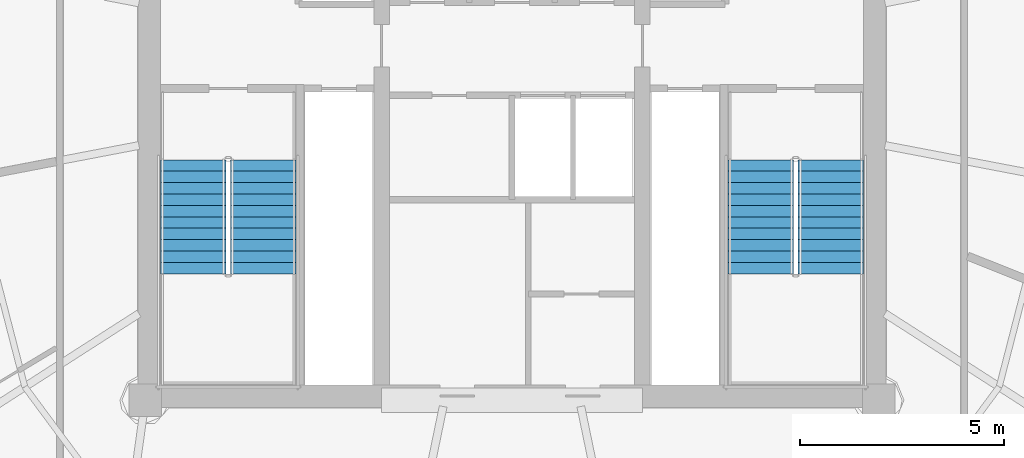
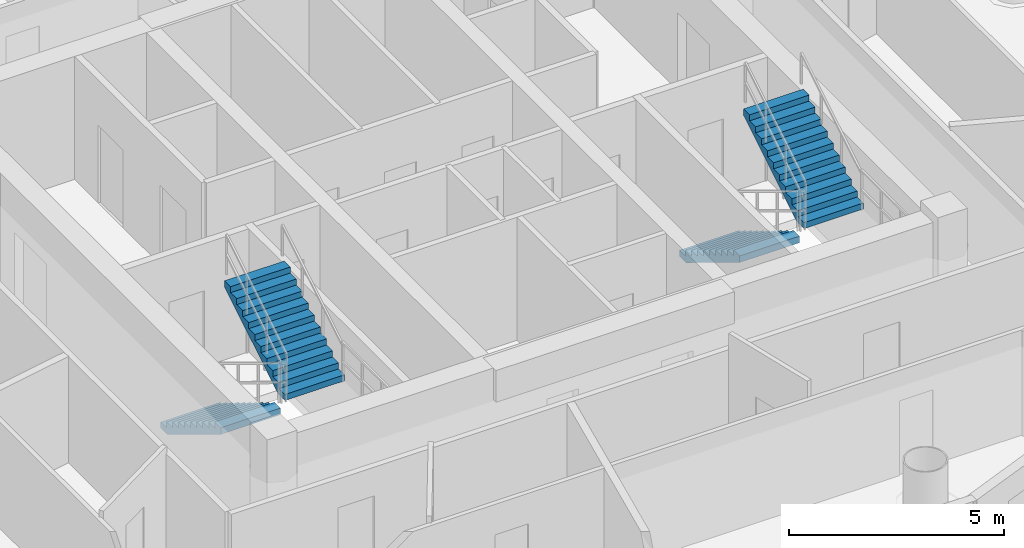
# One storey, part 20 of 23: 4 stair flights, 2 elements without a shape of their own.
"""IFC4 building model written with IfcOpenShell, lengths in metres."""

from ifc_helpers import new_model, si_unit, direction, frame, origin, place, context, subcontext, project, spatial, polyline, outline, extrude, material, type_object, element, aggregate, save


model = new_model("IFC4")

# Units and contexts
model_context = context("Model", 3, precision=1e-05, world=origin(), true_north=direction((-0.2419218956, 0.970295726276)))
body_context = subcontext(model_context, "Body", "Model", "MODEL_VIEW")
ifc_project = project(units=[si_unit("LENGTHUNIT", "METRE"), si_unit("AREAUNIT", "SQUARE_METRE"), si_unit("VOLUMEUNIT", "CUBIC_METRE"), si_unit("PLANEANGLEUNIT", "RADIAN"), si_unit("MASSUNIT", "GRAM", prefix="KILO")], contexts=[model_context])

# Site, building, storey
site_placement = place(None, origin())
site = spatial("IfcSite", under=ifc_project, at=site_placement, CompositionType="ELEMENT")
building_placement = place(site_placement, origin())
building = spatial("IfcBuilding", under=site, at=building_placement, Name="Cobrevalo Terracotta Tower", CompositionType="ELEMENT")
storey_placement = place(building_placement, frame((0.0, 0.0, 255.699951171875)))
storey = spatial("IfcBuildingStorey", under=building, at=storey_placement, Name="L67", CompositionType="ELEMENT", Elevation=255.699951171875)

# Stair, stair flights
ifc_material = material(Name="Concrete C50", Category="concrete")
stair_type = type_object("IfcStairType", Name="Core protected escape dogleg stair 1600", PredefinedType="HALF_TURN_STAIR", material=ifc_material)
stair_1_placement = place(storey_placement, origin())
stair_1 = element("IfcStair", 1, at=stair_1_placement, inside=storey, type_object=stair_type, Name="L67 Protected exit stair ST-1", PredefinedType="HALF_TURN_STAIR")
stair_flight_type = type_object("IfcStairFlightType", Name="Core protected escape dogleg stair 1600 flight", PredefinedType="STRAIGHT", material=ifc_material)
stair_flight_1_placement = place(storey_placement, frame((30.175048828125, 24.699951171875, 0.0), z_axis=(0.0, 0.0, 1.0), x_axis=(0.0, -1.0, 0.0)))
stair_flight_1 = element("IfcStairFlight", 2, at=stair_flight_1_placement, type_object=stair_flight_type, Name="ST-1 flight 1", NumberOfRisers=11, NumberOfTreads=10, PredefinedType="STRAIGHT", RiserHeight=0.170454545, TreadLength=0.28, context=body_context, shape_type="SweptSolid", body=[
    extrude(outline(polyline([(0.0, 0.0), (0.0, 0.17041015625), (0.280029296875, 0.17041015625), (0.280029296875, 0.3408203125), (0.56005859375, 0.3408203125), (0.56005859375, 0.511474609375), (0.840087890625, 0.511474609375), (0.840087890625, 0.681884765625), (1.1201171875, 0.681884765625), (1.1201171875, 0.852294921875), (1.39990234375, 0.852294921875), (1.39990234375, 1.022705078125), (1.679931640625, 1.022705078125), (1.679931640625, 1.193115234375), (1.9599609375, 1.193115234375), (1.9599609375, 1.363525390625), (2.239990234375, 1.363525390625), (2.239990234375, 1.5341796875), (2.52001953125, 1.5341796875), (2.52001953125, 1.70458984375), (2.800048828125, 1.70458984375), (2.800048828125, 1.875), (2.800048828125, 1.517333984375), (0.3076171875, 0.0), (0.0, 0.0)])), frame((0.0, 0.800048828125, 0.0), z_axis=(0.0, -1.0, 0.0), x_axis=(1.0, 0.0, 0.0)), (0.0, 0.0, 1.0), 1.60009765625),
])
stair_flight_2_placement = place(storey_placement, frame((31.89501953125, 21.89990234375, 1.875), z_axis=(0.0, 0.0, 1.0), x_axis=(0.0, 1.0, 0.0)))
stair_flight_2 = element("IfcStairFlight", 3, at=stair_flight_2_placement, type_object=stair_flight_type, Name="ST-1 flight 2", NumberOfRisers=11, NumberOfTreads=10, PredefinedType="STRAIGHT", RiserHeight=0.170454545, TreadLength=0.28, context=body_context, shape_type="SweptSolid", body=[
    extrude(outline(polyline([(0.0, 0.0), (0.0, 0.17041015625), (0.280029296875, 0.17041015625), (0.280029296875, 0.3408203125), (0.56005859375, 0.3408203125), (0.56005859375, 0.511474609375), (0.840087890625, 0.511474609375), (0.840087890625, 0.681884765625), (1.1201171875, 0.681884765625), (1.1201171875, 0.852294921875), (1.39990234375, 0.852294921875), (1.39990234375, 1.022705078125), (1.679931640625, 1.022705078125), (1.679931640625, 1.193115234375), (1.9599609375, 1.193115234375), (1.9599609375, 1.363525390625), (2.239990234375, 1.363525390625), (2.239990234375, 1.5341796875), (2.52001953125, 1.5341796875), (2.52001953125, 1.70458984375), (2.800048828125, 1.70458984375), (2.800048828125, 1.875), (2.800048828125, 1.517333984375), (0.3076171875, 0.0), (0.0, 0.0)])), frame((0.0, 0.800048828125, 0.0), z_axis=(0.0, -1.0, 0.0), x_axis=(1.0, 0.0, 0.0)), (0.0, 0.0, 1.0), 1.60009765625),
])
aggregate(stair_1, [stair_flight_1, stair_flight_2])

stair_2_placement = place(storey_placement, origin())
stair_2 = element("IfcStair", 4, at=stair_2_placement, inside=storey, type_object=stair_type, Name="L67 Protected exit stair ST-2", PredefinedType="HALF_TURN_STAIR")
stair_flight_3_placement = place(storey_placement, frame((44.10498046875, 24.699951171875, 0.0), z_axis=(0.0, 0.0, 1.0), x_axis=(0.0, -1.0, 0.0)))
stair_flight_3 = element("IfcStairFlight", 5, at=stair_flight_3_placement, type_object=stair_flight_type, Name="ST-2 flight 1", NumberOfRisers=11, NumberOfTreads=10, PredefinedType="STRAIGHT", RiserHeight=0.170454545, TreadLength=0.28, context=body_context, shape_type="SweptSolid", body=[
    extrude(outline(polyline([(0.0, 0.0), (0.0, 0.17041015625), (0.280029296875, 0.17041015625), (0.280029296875, 0.3408203125), (0.56005859375, 0.3408203125), (0.56005859375, 0.511474609375), (0.840087890625, 0.511474609375), (0.840087890625, 0.681884765625), (1.1201171875, 0.681884765625), (1.1201171875, 0.852294921875), (1.39990234375, 0.852294921875), (1.39990234375, 1.022705078125), (1.679931640625, 1.022705078125), (1.679931640625, 1.193115234375), (1.9599609375, 1.193115234375), (1.9599609375, 1.363525390625), (2.239990234375, 1.363525390625), (2.239990234375, 1.5341796875), (2.52001953125, 1.5341796875), (2.52001953125, 1.70458984375), (2.800048828125, 1.70458984375), (2.800048828125, 1.875), (2.800048828125, 1.517333984375), (0.3076171875, 0.0), (0.0, 0.0)])), frame((0.0, 0.800048828125, 0.0), z_axis=(0.0, -1.0, 0.0), x_axis=(1.0, 0.0, 0.0)), (0.0, 0.0, 1.0), 1.60009765625),
])
stair_flight_4_placement = place(storey_placement, frame((45.824951171875, 21.89990234375, 1.875), z_axis=(0.0, 0.0, 1.0), x_axis=(0.0, 1.0, 0.0)))
stair_flight_4 = element("IfcStairFlight", 6, at=stair_flight_4_placement, type_object=stair_flight_type, Name="ST-2 flight 2", NumberOfRisers=11, NumberOfTreads=10, PredefinedType="STRAIGHT", RiserHeight=0.170454545, TreadLength=0.28, context=body_context, shape_type="SweptSolid", body=[
    extrude(outline(polyline([(0.0, 0.0), (0.0, 0.17041015625), (0.280029296875, 0.17041015625), (0.280029296875, 0.3408203125), (0.56005859375, 0.3408203125), (0.56005859375, 0.511474609375), (0.840087890625, 0.511474609375), (0.840087890625, 0.681884765625), (1.1201171875, 0.681884765625), (1.1201171875, 0.852294921875), (1.39990234375, 0.852294921875), (1.39990234375, 1.022705078125), (1.679931640625, 1.022705078125), (1.679931640625, 1.193115234375), (1.9599609375, 1.193115234375), (1.9599609375, 1.363525390625), (2.239990234375, 1.363525390625), (2.239990234375, 1.5341796875), (2.52001953125, 1.5341796875), (2.52001953125, 1.70458984375), (2.800048828125, 1.70458984375), (2.800048828125, 1.875), (2.800048828125, 1.517333984375), (0.3076171875, 0.0), (0.0, 0.0)])), frame((0.0, 0.800048828125, 0.0), z_axis=(0.0, -1.0, 0.0), x_axis=(1.0, 0.0, 0.0)), (0.0, 0.0, 1.0), 1.60009765625),
])
aggregate(stair_2, [stair_flight_3, stair_flight_4])

save(model, "model.ifc")
